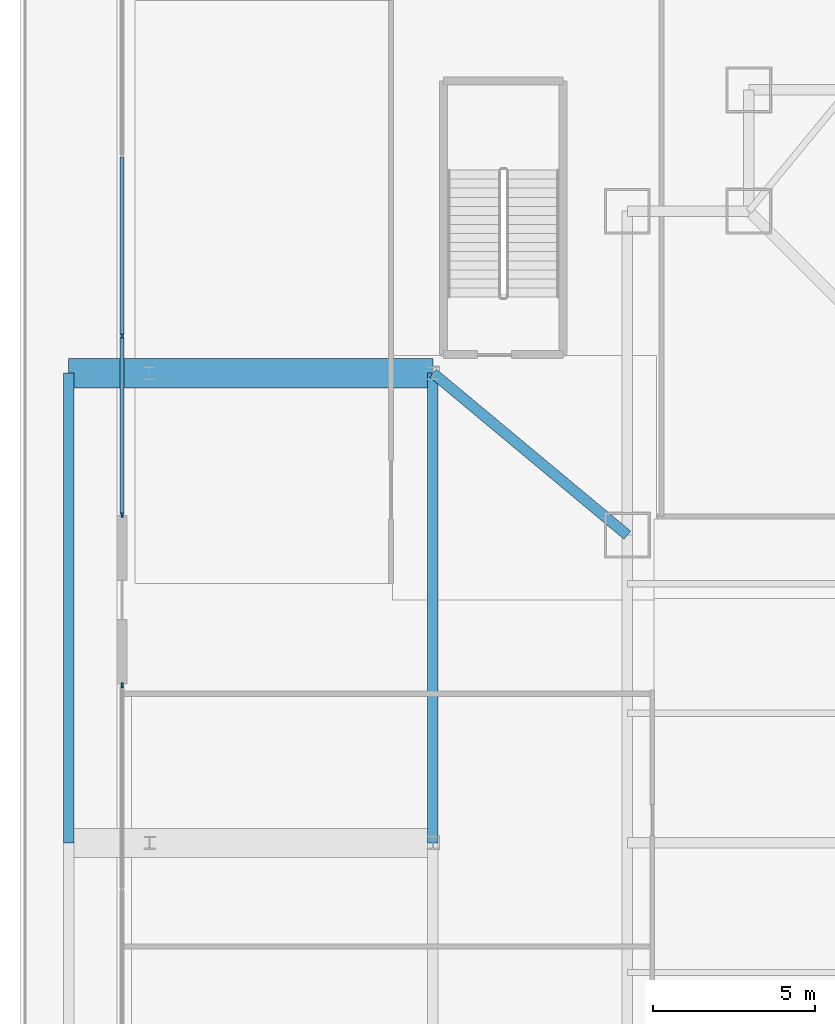
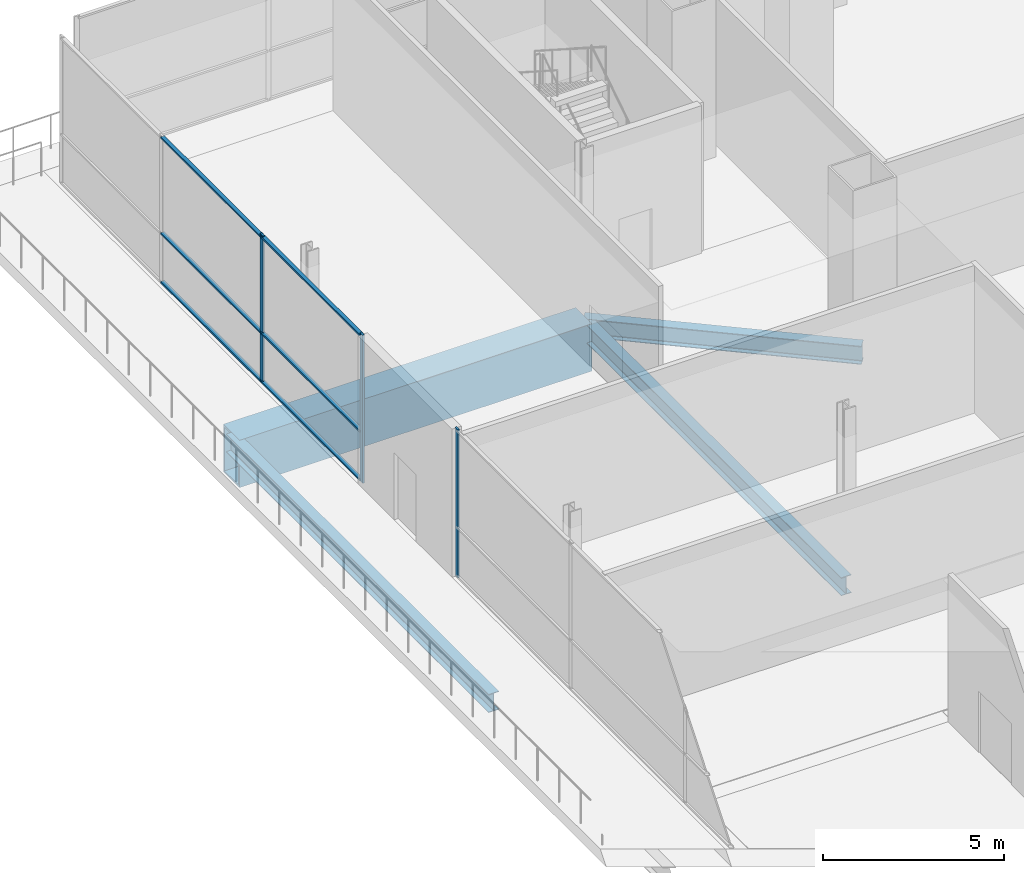
# One storey, part 11 of 36: 9 members, 4 beams, 2 elements without a shape of their own.
"""IFC4 building model written with IfcOpenShell, lengths in metres."""

from ifc_helpers import new_model, si_unit, direction, frame, origin, origin_2d, place, context, subcontext, project, spatial, rectangle, hollow_rectangle, i_section, extrude, material, layer, layer_set, material_profile, profile_set, type_object, element, aggregate, save


model = new_model("IFC4")

# Units and contexts
model_context = context("Model", 3, precision=1e-05, world=origin(), true_north=direction((0.0, 1.0)))
body_context = subcontext(model_context, "Body", "Model", "MODEL_VIEW")
ifc_project = project(units=[si_unit("LENGTHUNIT", "METRE"), si_unit("AREAUNIT", "SQUARE_METRE"), si_unit("VOLUMEUNIT", "CUBIC_METRE"), si_unit("PLANEANGLEUNIT", "RADIAN"), si_unit("MASSUNIT", "GRAM", prefix="KILO")], contexts=[model_context])

# Site, building, storey
site_placement = place(None, origin())
site = spatial("IfcSite", under=ifc_project, at=site_placement, CompositionType="ELEMENT")
building_placement = place(site_placement, origin())
building = spatial("IfcBuilding", under=site, at=building_placement, Name="Trevonay Congress Spire", CompositionType="ELEMENT")
storey_placement = place(building_placement, frame((0.0, 0.0, 5.39990234375)))
storey = spatial("IfcBuildingStorey", under=building, at=storey_placement, Name="L01", CompositionType="ELEMENT", Elevation=5.39990234375)

# Beams
ifc_material_1 = material(Name="Steel ASTM A572 Grade 50", Category="steel")
ifc_material_profile_1 = material_profile(ifc_material_1, i_section(OverallWidth=0.324951171875, OverallDepth=0.615966796875, WebThickness=0.013916015625, FlangeThickness=0.021484375, FilletRadius=0.01806640625, at=origin_2d()), Name="W610x174")
ifc_profile_set_1 = profile_set([ifc_material_profile_1], Name="Steel ASTM A572 Grade 50")
beam_type_1 = type_object("IfcBeamType", Name="BM-GIRD-W610X174", PredefinedType="BEAM", material=ifc_profile_set_1)
beam_1_placement = place(storey_placement, frame((-29.25, 0.0, -0.7080078125), z_axis=(0.0, 1.0, 0.0), x_axis=(-1.0, 0.0, 0.0)))
element("IfcBeam", 1, at=beam_1_placement, inside=storey, type_object=beam_type_1, Name="L01 structural beam BM-L01-POD-WH", PredefinedType="BEAM", context=body_context, shape_type="SweptSolid", body=[
    extrude(i_section(OverallWidth=0.324951171875, OverallDepth=0.615966796875, WebThickness=0.013916015625, FlangeThickness=0.021484375, FilletRadius=0.01806640625, at=origin_2d()), origin(), (0.0, 0.0, 1.0), 14.5),
])
beam_2_placement = place(storey_placement, frame((-23.25, 9.5, -0.7080078125), z_axis=(-0.768221279597, 0.640184399664, 0.0), x_axis=(-0.640184399664, -0.768221279597, 0.0)))
element("IfcBeam", 2, at=beam_2_placement, inside=storey, type_object=beam_type_1, Name="L01 structural beam BM-L01-POD-WT2", PredefinedType="BEAM", context=body_context, shape_type="SweptSolid", body=[
    extrude(i_section(OverallWidth=0.324951171875, OverallDepth=0.615966796875, WebThickness=0.013916015625, FlangeThickness=0.021484375, FilletRadius=0.01806640625, at=origin_2d()), origin(), (0.0, 0.0, 1.0), 7.810302734375),
])
beam_3_placement = place(storey_placement, frame((-40.5, 0.0, -0.7080078125), z_axis=(0.0, 1.0, 0.0), x_axis=(-1.0, 0.0, 0.0)))
element("IfcBeam", 3, at=beam_3_placement, inside=storey, type_object=beam_type_1, Name="L01 structural beam BM-L01-EXWL2", PredefinedType="BEAM", context=body_context, shape_type="SweptSolid", body=[
    extrude(i_section(OverallWidth=0.324951171875, OverallDepth=0.615966796875, WebThickness=0.013916015625, FlangeThickness=0.021484375, FilletRadius=0.01806640625, at=origin_2d()), origin(), (0.0, 0.0, 1.0), 14.5),
])
ifc_material_profile_2 = material_profile(ifc_material_1, hollow_rectangle(XDim=0.89990234375, YDim=1.60009765625, WallThickness=0.06005859375, at=origin_2d()), Name="BOX 1600x900x60")
ifc_profile_set_2 = profile_set([ifc_material_profile_2], Name="Steel ASTM A572 Grade 50")
beam_type_2 = type_object("IfcBeamType", Name="BM-XFER-BOX1600", PredefinedType="BEAM", material=ifc_profile_set_2)
beam_4_placement = place(storey_placement, frame((-29.25, 14.5, -1.199951171875), z_axis=(-1.0, 0.0, 0.0), x_axis=(0.0, -1.0, 0.0)))
element("IfcBeam", 4, at=beam_4_placement, inside=storey, type_object=beam_type_2, Name="L01 structural beam BM-L01-EXW-N", PredefinedType="BEAM", context=body_context, shape_type="SweptSolid", body=[
    extrude(hollow_rectangle(XDim=0.89990234375, YDim=1.60009765625, WallThickness=0.06005859375, at=origin_2d()), origin(), (0.0, 0.0, 1.0), 11.25),
])

# Curtain wall, member
ifc_material_2 = material(Name="Pale Anodised Aluminium EN AW-6063-T6", Category="aluminium")
ifc_layer = layer(ifc_material_2, 0.179931640625, Name="Pale Anodised Aluminium EN AW-6063-T6")
ifc_layer_set = layer_set([ifc_layer], Name="Pale Anodised Aluminium EN AW-6063-T6")
curtain_wall_type = type_object("IfcCurtainWallType", Name="CW-SYS01-PODIUM-PALE-METAL", PredefinedType="NOTDEFINED", material=ifc_layer_set)
curtain_wall_1_placement = place(storey_placement, origin())
curtain_wall_1 = element("IfcCurtainWall", 5, at=curtain_wall_1_placement, inside=storey, type_object=curtain_wall_type, Name="L01 W1 podium curtain wall", PredefinedType="NOTDEFINED")
ifc_material_profile_3 = material_profile(ifc_material_2, rectangle(XDim=0.06005859375, YDim=0.159912109375, at=origin_2d()), Name="CW-MULLION-160-ALUMINIUM")
ifc_profile_set_3 = profile_set([ifc_material_profile_3], Name="Pale Anodised Aluminium EN AW-6063-T6")
member_type_1 = type_object("IfcMemberType", Name="CW-MULLION-160-ALUMINIUM", PredefinedType="MULLION", material=ifc_profile_set_3)
member_1_placement = place(storey_placement, frame((-38.85009765625, 4.8701171875, 0.0), z_axis=(0.0, 0.0, 1.0), x_axis=(-1.0, 0.0, 0.0)))
member_1 = element("IfcMember", 6, at=member_1_placement, type_object=member_type_1, Name="CW01 mullion 6", PredefinedType="MULLION", context=body_context, shape_type="SweptSolid", body=[
    extrude(rectangle(XDim=0.06005859375, YDim=0.159912109375, at=origin_2d()), origin(), (0.0, 0.0, 1.0), 5.0),
])
aggregate(curtain_wall_1, [member_1])

# Curtain wall, members
curtain_wall_2_placement = place(storey_placement, origin())
curtain_wall_2 = element("IfcCurtainWall", 7, at=curtain_wall_2_placement, inside=storey, type_object=curtain_wall_type, Name="L01 W2 podium curtain wall", PredefinedType="NOTDEFINED")
member_2_placement = place(storey_placement, frame((-38.85009765625, 10.1298828125, 0.0), z_axis=(0.0, 0.0, 1.0), x_axis=(-1.0, 0.0, 0.0)))
member_2 = element("IfcMember", 8, at=member_2_placement, type_object=member_type_1, Name="CW01 mullion 1", PredefinedType="MULLION", context=body_context, shape_type="SweptSolid", body=[
    extrude(rectangle(XDim=0.06005859375, YDim=0.159912109375, at=origin_2d()), origin(), (0.0, 0.0, 1.0), 5.0),
])
member_3_placement = place(storey_placement, frame((-38.85009765625, 15.64990234375, 0.0), z_axis=(0.0, 0.0, 1.0), x_axis=(-1.0, 0.0, 0.0)))
member_3 = element("IfcMember", 9, at=member_3_placement, type_object=member_type_1, Name="CW01 mullion 2", PredefinedType="MULLION", context=body_context, shape_type="SweptSolid", body=[
    extrude(rectangle(XDim=0.06005859375, YDim=0.159912109375, at=origin_2d()), origin(), (0.0, 0.0, 1.0), 5.0),
])
ifc_material_profile_4 = material_profile(ifc_material_2, rectangle(XDim=0.1201171875, YDim=0.06005859375, at=origin_2d()), Name="CW-TRANSOM-120-ALUMINIUM")
ifc_profile_set_4 = profile_set([ifc_material_profile_4], Name="Pale Anodised Aluminium EN AW-6063-T6")
member_type_2 = type_object("IfcMemberType", Name="CW-TRANSOM-120-ALUMINIUM", PredefinedType="USERDEFINED", material=ifc_profile_set_4)
member_4_placement = place(storey_placement, frame((-38.85009765625, 10.159912109375, 0.06005859375), z_axis=(0.0, 1.0, 0.0), x_axis=(-1.0, 0.0, 0.0)))
member_4 = element("IfcMember", 10, at=member_4_placement, type_object=member_type_2, Name="CW01 transom 1.1", ObjectType="TRANSOM", PredefinedType="USERDEFINED", context=body_context, shape_type="SweptSolid", body=[
    extrude(rectangle(XDim=0.1201171875, YDim=0.06005859375, at=origin_2d()), origin(), (0.0, 0.0, 1.0), 5.460205078125),
])
member_5_placement = place(storey_placement, frame((-38.85009765625, 10.159912109375, 1.7001953125), z_axis=(0.0, 1.0, 0.0), x_axis=(-1.0, 0.0, 0.0)))
member_5 = element("IfcMember", 11, at=member_5_placement, type_object=member_type_2, Name="CW01 transom 1.2", ObjectType="TRANSOM", PredefinedType="USERDEFINED", context=body_context, shape_type="SweptSolid", body=[
    extrude(rectangle(XDim=0.1201171875, YDim=0.06005859375, at=origin_2d()), origin(), (0.0, 0.0, 1.0), 5.460205078125),
])
member_6_placement = place(storey_placement, frame((-38.85009765625, 10.159912109375, 4.940185546875), z_axis=(0.0, 1.0, 0.0), x_axis=(-1.0, 0.0, 0.0)))
member_6 = element("IfcMember", 12, at=member_6_placement, type_object=member_type_2, Name="CW01 transom 1.3", ObjectType="TRANSOM", PredefinedType="USERDEFINED", context=body_context, shape_type="SweptSolid", body=[
    extrude(rectangle(XDim=0.1201171875, YDim=0.06005859375, at=origin_2d()), origin(), (0.0, 0.0, 1.0), 5.460205078125),
])
member_7_placement = place(storey_placement, frame((-38.85009765625, 15.679931640625, 0.06005859375), z_axis=(0.0, 1.0, 0.0), x_axis=(-1.0, 0.0, 0.0)))
member_7 = element("IfcMember", 13, at=member_7_placement, type_object=member_type_2, Name="CW01 transom 2.1", ObjectType="TRANSOM", PredefinedType="USERDEFINED", context=body_context, shape_type="SweptSolid", body=[
    extrude(rectangle(XDim=0.1201171875, YDim=0.06005859375, at=origin_2d()), origin(), (0.0, 0.0, 1.0), 5.489990234375),
])
member_8_placement = place(storey_placement, frame((-38.85009765625, 15.679931640625, 1.7001953125), z_axis=(0.0, 1.0, 0.0), x_axis=(-1.0, 0.0, 0.0)))
member_8 = element("IfcMember", 14, at=member_8_placement, type_object=member_type_2, Name="CW01 transom 2.2", ObjectType="TRANSOM", PredefinedType="USERDEFINED", context=body_context, shape_type="SweptSolid", body=[
    extrude(rectangle(XDim=0.1201171875, YDim=0.06005859375, at=origin_2d()), origin(), (0.0, 0.0, 1.0), 5.489990234375),
])
member_9_placement = place(storey_placement, frame((-38.85009765625, 15.679931640625, 4.940185546875), z_axis=(0.0, 1.0, 0.0), x_axis=(-1.0, 0.0, 0.0)))
member_9 = element("IfcMember", 15, at=member_9_placement, type_object=member_type_2, Name="CW01 transom 2.3", ObjectType="TRANSOM", PredefinedType="USERDEFINED", context=body_context, shape_type="SweptSolid", body=[
    extrude(rectangle(XDim=0.1201171875, YDim=0.06005859375, at=origin_2d()), origin(), (0.0, 0.0, 1.0), 5.489990234375),
])
aggregate(curtain_wall_2, [member_2, member_3, member_4, member_5, member_6, member_7, member_8, member_9])

save(model, "model.ifc")
